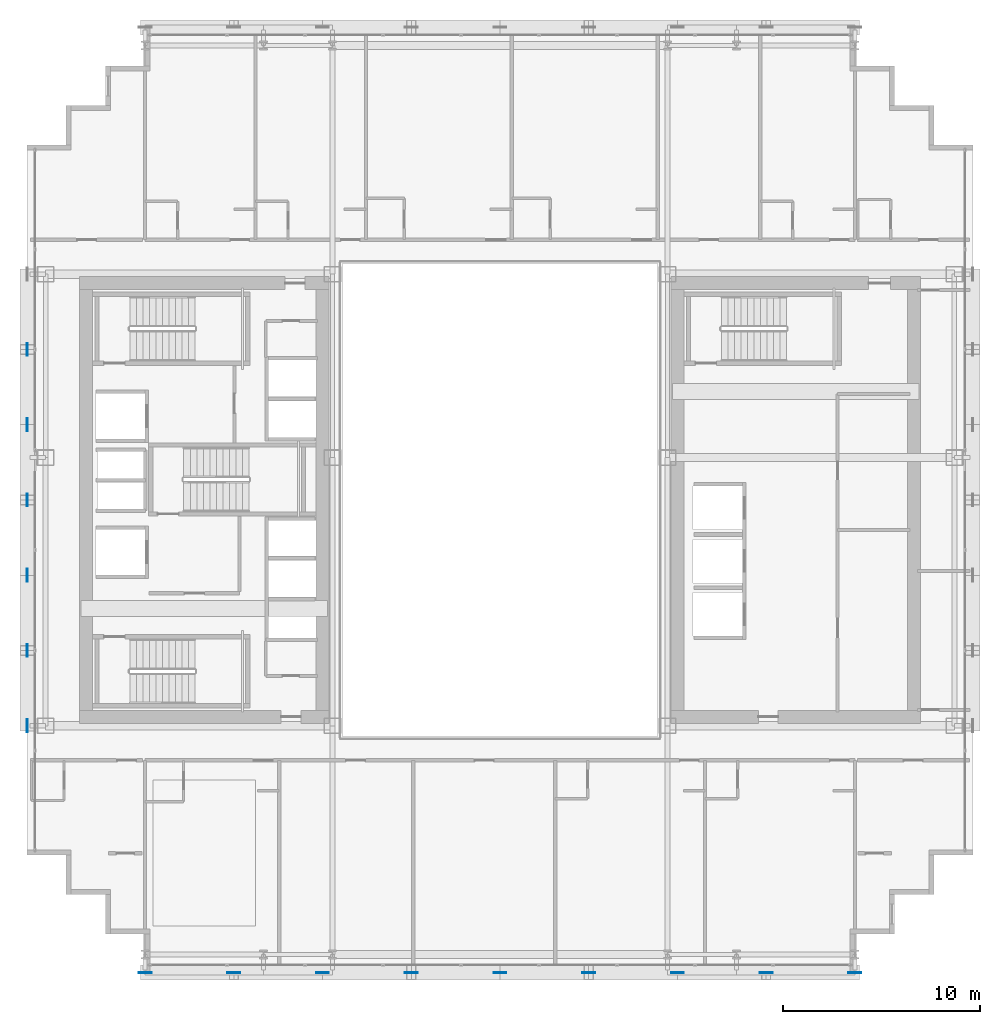
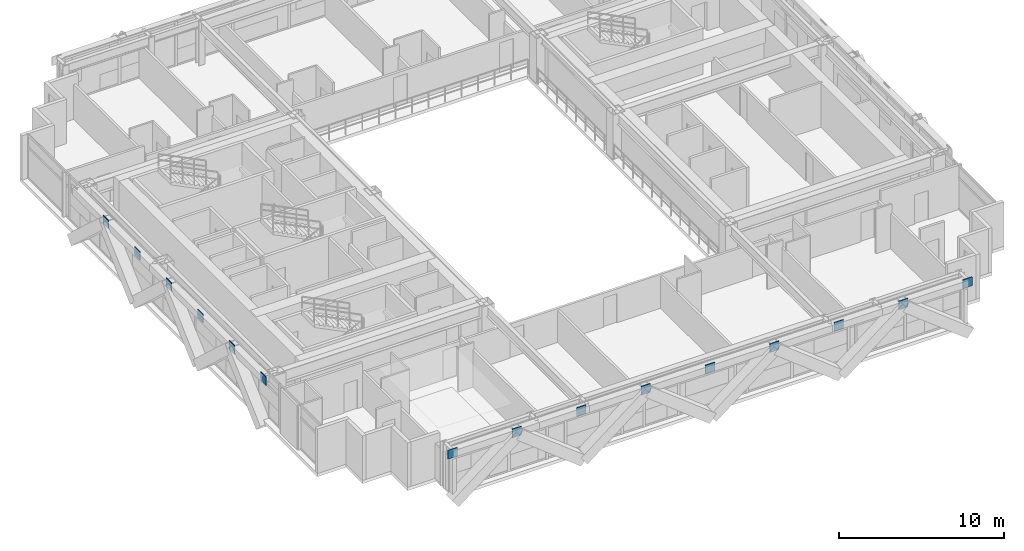
# One storey, part 25 of 36: 15 plates.
"""IFC4 building model written with IfcOpenShell, lengths in metres."""

import ifcopenshell
import ifcopenshell.guid

model = None  # the IFC model being written
_history = None  # IfcOwnerHistory: only IFC2X3 demands one
_inside = {}  # id of a spatial element -> (the spatial element, [elements in it])
_under = {}  # id of a project, library or spatial element -> (it, [spatial elements below it])
_declared = {}  # id of a project -> (the project, [libraries it declares])
_typed = {}  # id of a type object -> (the type object, [elements of that type])
_made_of = {}  # id of a material, layer set ... -> (it, [elements and type objects made of it])


def new_model(schema):
    """Start an empty IFC model of exactly this schema.

    Asked for "IFC4X3", IfcOpenShell would pick the latest addendum, in which some entities
    have other attributes; the version numbers below select the first issue.
    IFC2X3 requires an IfcOwnerHistory on every rooted entity: one is made here for all.
    """
    global model, _history
    if schema == "IFC4X3":
        model = ifcopenshell.file(schema_version=(4, 3, 0, 0))
    else:
        model = ifcopenshell.file(schema=schema)
    _inside.clear()
    _under.clear()
    _declared.clear()
    _typed.clear()
    _made_of.clear()
    _history = None
    if model.schema == "IFC2X3":
        org = make("IfcOrganization", Name="unknown")
        user = make(
            "IfcPersonAndOrganization",
            ThePerson=make("IfcPerson", FamilyName="unknown"),
            TheOrganization=org,
        )
        app = make(
            "IfcApplication",
            ApplicationDeveloper=org,
            Version="unknown",
            ApplicationFullName="unknown",
            ApplicationIdentifier="unknown",
        )
        _history = make(
            "IfcOwnerHistory",
            OwningUser=user,
            OwningApplication=app,
            ChangeAction="ADDED",
            CreationDate=0,
        )
    return model


def make(cls, **values):
    """One entity of the class cls with the attributes given. An attribute that is None is left unset."""
    return model.create_entity(
        cls, **{name: value for name, value in values.items() if value is not None}
    )


def rooted(cls, **values):
    """An entity with a GlobalId (a new one), such as an element, a storey or a relation."""
    return make(cls, GlobalId=ifcopenshell.guid.new(), OwnerHistory=_history, **values)


def si_unit(unit_type, name, prefix=None):
    """IfcSIUnit, for example si_unit("LENGTHUNIT", "METRE", prefix="MILLI")."""
    return make("IfcSIUnit", UnitType=unit_type, Prefix=prefix, Name=name)


def assignment(units):
    """IfcUnitAssignment: the units of a project."""
    return None if units is None else make("IfcUnitAssignment", Units=units)


def point(xyz):
    """IfcCartesianPoint."""
    return None if xyz is None else make("IfcCartesianPoint", Coordinates=xyz)


def direction(xyz):
    """IfcDirection."""
    return None if xyz is None else make("IfcDirection", DirectionRatios=xyz)


def frame(location, z_axis=None, x_axis=None):
    """IfcAxis2Placement3D, a coordinate frame: its origin and axes. An axis left out is left unset."""
    return make(
        "IfcAxis2Placement3D",
        Location=point(location),
        Axis=direction(z_axis),
        RefDirection=direction(x_axis),
    )


def frame_2d(location, x_axis=None):
    """IfcAxis2Placement2D, a coordinate frame in the plane: its origin and x axis."""
    return make(
        "IfcAxis2Placement2D", Location=point(location), RefDirection=direction(x_axis)
    )


def origin():
    """The frame at (0, 0, 0) with its axes left unset."""
    return frame((0.0, 0.0, 0.0))


def origin_2d():
    """The frame at (0, 0) in the plane with its x axis left unset."""
    return frame_2d((0.0, 0.0))


def place(relative_to, where):
    """IfcLocalPlacement: puts the frame where relative to a parent placement (None: the world)."""
    return make(
        "IfcLocalPlacement", PlacementRelTo=relative_to, RelativePlacement=where
    )


def context(
    kind, dimensions, precision=None, world=None, true_north=None, identifier=None
):
    """IfcGeometricRepresentationContext, for example the 3D "Model" context."""
    return make(
        "IfcGeometricRepresentationContext",
        ContextIdentifier=identifier,
        ContextType=kind,
        CoordinateSpaceDimension=dimensions,
        Precision=precision,
        WorldCoordinateSystem=world,
        TrueNorth=true_north,
    )


def subcontext(parent, identifier, kind, view, scale=None):
    """IfcGeometricRepresentationSubContext, for example "Body" below "Model"."""
    return make(
        "IfcGeometricRepresentationSubContext",
        ContextIdentifier=identifier,
        ContextType=kind,
        ParentContext=parent,
        TargetScale=scale,
        TargetView=view,
    )


def project(units=None, contexts=None):
    """IfcProject with its units and contexts."""
    return rooted(
        "IfcProject",
        Name="project",
        RepresentationContexts=contexts,
        UnitsInContext=assignment(units),
    )


def spatial(cls, under=None, at=None, **own):
    """A site, building, storey or space (cls), placed at a placement, below another one or the project."""
    s = rooted(cls, ObjectPlacement=at, **own)
    if under is not None:
        _under.setdefault(under.id(), (under, []))[1].append(s)
    return s


def profile(cls, at=None, kind="AREA", **sizes):
    """A parametric profile (cls). Its sizes go by their IFC names, for example OverallWidth=200.0."""
    return make(cls, ProfileType=kind, Position=at, **sizes)


def rectangle(**sizes):
    """IfcRectangleProfileDef."""
    return profile("IfcRectangleProfileDef", **sizes)


def extrude(swept, where, along, depth):
    """IfcExtrudedAreaSolid: the profile swept, set in the frame where, extruded along a direction by depth."""
    return make(
        "IfcExtrudedAreaSolid",
        SweptArea=swept,
        Position=where,
        ExtrudedDirection=direction(along),
        Depth=depth,
    )


def shape(context_of_items, identifier, shape_type, items):
    """IfcShapeRepresentation: the items that make up one representation, for example the "Body"."""
    return make(
        "IfcShapeRepresentation",
        ContextOfItems=context_of_items,
        RepresentationIdentifier=identifier,
        RepresentationType=shape_type,
        Items=items,
    )


def source(mapping_origin, context_of_items, identifier, shape_type, items):
    """IfcRepresentationMap: a shape defined once, which mapped items show again and again."""
    return make(
        "IfcRepresentationMap",
        MappingOrigin=mapping_origin,
        MappedRepresentation=shape(context_of_items, identifier, shape_type, items),
    )


def transform(
    local_origin,
    x_axis=None,
    y_axis=None,
    z_axis=None,
    scale=None,
    scale2=None,
    scale3=None,
    uniform=True,
):
    """IfcCartesianTransformationOperator3D, or its non-uniform kind. x_axis, y_axis, z_axis: its Axis1, 2, 3."""
    if uniform:
        return make(
            "IfcCartesianTransformationOperator3D",
            Axis1=direction(x_axis),
            Axis2=direction(y_axis),
            LocalOrigin=point(local_origin),
            Scale=scale,
            Axis3=direction(z_axis),
        )
    return make(
        "IfcCartesianTransformationOperator3DnonUniform",
        Axis1=direction(x_axis),
        Axis2=direction(y_axis),
        LocalOrigin=point(local_origin),
        Scale=scale,
        Axis3=direction(z_axis),
        Scale2=scale2,
        Scale3=scale3,
    )


def mapped(mapping_source, mapping_target):
    """IfcMappedItem: shows the shape of a source again, moved by a transform."""
    return make(
        "IfcMappedItem", MappingSource=mapping_source, MappingTarget=mapping_target
    )


def material(Name=None, Category=None):
    """IfcMaterial."""
    return make("IfcMaterial", Name=Name, Category=Category)


def layer(
    of_material, thickness, ventilated=None, Name=None, Category=None, Priority=None
):
    """IfcMaterialLayer: one layer of a wall or slab, of a material (None: an air gap)."""
    return make(
        "IfcMaterialLayer",
        Material=of_material,
        LayerThickness=thickness,
        IsVentilated=ventilated,
        Name=Name,
        Category=Category,
        Priority=Priority,
    )


def layer_set(layers, Name=None):
    """IfcMaterialLayerSet."""
    return make("IfcMaterialLayerSet", MaterialLayers=layers, LayerSetName=Name)


def made_of(thing, what):
    """Note that an element or type object is made of a material, layer set ...; save() writes the relation."""
    if what is not None:
        _made_of.setdefault(what.id(), (what, []))[1].append(thing)
    return thing


def type_object(cls, material=None, **own):
    """A type object (cls), such as IfcWallType, which elements share."""
    return made_of(rooted(cls, **own), material)


def element(
    cls,
    number,
    at=None,
    inside=None,
    cuts=None,
    type_object=None,
    material=None,
    context=None,
    identifier="Body",
    shape_type=None,
    held_by="IfcProductDefinitionShape",
    body=None,
    shapes=None,
    **own,
):
    """One element of the class cls, such as IfcWall. Its Tag is "e" and its number.

    at: its placement. inside: the storey or other place that contains it. cuts: it is an
    opening in that element (IfcRelVoidsElement). A single representation is given by context,
    identifier, shape_type and body (its items); several are given by shapes. held_by: the class
    of the entity that holds the representations. save() writes the other relations.
    """
    e = rooted(cls, Tag="e%d" % number, ObjectPlacement=at, **own)
    if body is not None:
        shapes = [shape(context, identifier, shape_type, body)]
    if shapes is not None:
        e.Representation = make(held_by, Representations=shapes)
    if inside is not None:
        _inside.setdefault(inside.id(), (inside, []))[1].append(e)
    if cuts is not None:
        rooted(
            "IfcRelVoidsElement", RelatingBuildingElement=cuts, RelatedOpeningElement=e
        )
    if type_object is not None:
        _typed.setdefault(type_object.id(), (type_object, []))[1].append(e)
    return made_of(e, material)


def aggregate(whole, parts):
    """IfcRelAggregates: a whole, such as a stair, and the parts it consists of."""
    return rooted("IfcRelAggregates", RelatingObject=whole, RelatedObjects=parts)


def save(model, path):
    """Write the relations noted so far, then the file.

    IfcRelAggregates (storeys below a building ...), IfcRelContainedInSpatialStructure (elements
    in a storey), IfcRelDefinesByType, IfcRelAssociatesMaterial and IfcRelDeclares: one each for
    every whole, place, type object, material and project.
    """
    for whole, parts in _under.values():
        aggregate(whole, parts)
    for where, things in _inside.values():
        rooted(
            "IfcRelContainedInSpatialStructure",
            RelatedElements=things,
            RelatingStructure=where,
        )
    for kind, things in _typed.values():
        rooted("IfcRelDefinesByType", RelatedObjects=things, RelatingType=kind)
    for what, things in _made_of.values():
        rooted("IfcRelAssociatesMaterial", RelatedObjects=things, RelatingMaterial=what)
    for by, libraries in _declared.values():
        rooted("IfcRelDeclares", RelatingContext=by, RelatedDefinitions=libraries)
    model.write(path)


model = new_model("IFC4")

# Units and contexts
model_context = context("Model", 3, precision=1e-05, world=origin(), true_north=direction((0.0, 1.0)))
body_context = subcontext(model_context, "Body", "Model", "MODEL_VIEW")
ifc_project = project(units=[si_unit("LENGTHUNIT", "METRE"), si_unit("AREAUNIT", "SQUARE_METRE"), si_unit("VOLUMEUNIT", "CUBIC_METRE"), si_unit("PLANEANGLEUNIT", "RADIAN"), si_unit("MASSUNIT", "GRAM", prefix="KILO")], contexts=[model_context])

# Site, building, storey
site_placement = place(None, origin())
site = spatial("IfcSite", under=ifc_project, at=site_placement, CompositionType="ELEMENT")
building_placement = place(site_placement, origin())
building = spatial("IfcBuilding", under=site, at=building_placement, Name="Ocotamira Hotel", CompositionType="ELEMENT")
storey_placement = place(building_placement, frame((0.0, 0.0, 147.60009765625)))
storey = spatial("IfcBuildingStorey", under=building, at=storey_placement, Name="L37", CompositionType="ELEMENT", Elevation=147.60009765625)

# Plates
ifc_material = material(Name="Pale-metal coated steel ASTM A572 Grade 50", Category="steel")
ifc_layer = layer(ifc_material, 0.0400390625)
ifc_layer_set = layer_set([ifc_layer], Name="Pale-metal coated steel ASTM A572 Grade 50")
plate_type = type_object("IfcPlateType", Name="PLT-GUSSET-40", PredefinedType="SHEET", material=ifc_layer_set)
shared_shape_1 = source(origin(), body_context, "Body", "SweptSolid", [
    extrude(rectangle(XDim=0.64990234375, YDim=0.0400390625, at=origin_2d()), origin(), (0.0, 0.0, 1.0), 0.64990234375),
])
for number, where, z_axis, x_axis, name in (
    (1, (18.5, 2.030029296875, 2.704833984375), (0.0, 0.0, 1.0), (1.0, 0.0, 0.0), "L37 Exoskeleton Diagrid S0.1 End Gusset B"),
    (2, (27.5, 2.030029296875, 2.704833984375), (0.0, 0.0, 1.0), (1.0, 0.0, 0.0), "L37 Exoskeleton Diagrid S1.1 End Gusset B"),
    (3, (36.5, 2.030029296875, 2.704833984375), (0.0, 0.0, 1.0), (1.0, 0.0, 0.0), "L37 Exoskeleton Diagrid S2.1 End Gusset B"),
    (4, (45.5, 2.030029296875, 2.704833984375), (0.0, 0.0, 1.0), (1.0, 0.0, 0.0), "L37 Exoskeleton Diagrid S3.1 End Gusset B"),
    (5, (14.0, 2.030029296875, 2.704833984375), (0.0, 0.0, 1.0), (1.0, 0.0, 0.0), "L37 Exoskeleton Diagrid S0.1 End Gusset A"),
    (6, (23.0, 2.030029296875, 2.704833984375), (0.0, 0.0, 1.0), (-1.0, 0.0, 0.0), "L37 Exoskeleton Diagrid S0.2 End Gusset A"),
    (7, (32.0, 2.030029296875, 2.704833984375), (0.0, 0.0, 1.0), (-1.0, 0.0, 0.0), "L37 Exoskeleton Diagrid S1.2 End Gusset A"),
    (8, (41.0, 2.030029296875, 2.704833984375), (0.0, 0.0, 1.0), (-1.0, 0.0, 0.0), "L37 Exoskeleton Diagrid S2.2 End Gusset A"),
    (9, (50.0, 2.030029296875, 2.704833984375), (0.0, 0.0, 1.0), (-1.0, 0.0, 0.0), "L37 Exoskeleton Diagrid S3.2 End Gusset A"),
):
    element("IfcPlate", number, at=place(storey_placement, frame(where, z_axis=z_axis, x_axis=x_axis)), inside=storey, type_object=plate_type, Name=name, PredefinedType="SHEET", context=body_context, shape_type="MappedRepresentation", body=[
        mapped(shared_shape_1, transform((0.0, 0.0, 0.0), scale=1.0)),
    ])
shared_shape_2 = source(origin(), body_context, "Body", "SweptSolid", [
    extrude(rectangle(XDim=0.0400390625, YDim=0.64990234375, at=origin_2d()), origin(), (0.0, 0.0, 1.0), 0.64990234375),
])
for number, where, z_axis, x_axis, name in (
    (10, (8.030029296875, 18.36669921875, 2.704833984375), (0.0, 0.0, 1.0), (1.0, 0.0, 0.0), "L37 Exoskeleton Diagrid W0.1 End Gusset B"),
    (11, (8.030029296875, 26.0, 2.704833984375), (0.0, 0.0, 1.0), (1.0, 0.0, 0.0), "L37 Exoskeleton Diagrid W1.1 End Gusset B"),
    (12, (8.030029296875, 33.63330078125, 2.704833984375), (0.0, 0.0, 1.0), (1.0, 0.0, 0.0), "L37 Exoskeleton Diagrid W2.1 End Gusset B"),
    (13, (8.030029296875, 14.550048828125, 2.704833984375), (0.0, 0.0, 1.0), (1.0, 0.0, 0.0), "L37 Exoskeleton Diagrid W0.1 End Gusset A"),
    (14, (8.030029296875, 22.183349609375, 2.704833984375), (0.0, 0.0, 1.0), (1.0, 0.0, 0.0), "L37 Exoskeleton Diagrid W0.2 End Gusset A"),
    (15, (8.030029296875, 29.816650390625, 2.704833984375), (0.0, 0.0, 1.0), (1.0, 0.0, 0.0), "L37 Exoskeleton Diagrid W1.2 End Gusset A"),
):
    element("IfcPlate", number, at=place(storey_placement, frame(where, z_axis=z_axis, x_axis=x_axis)), inside=storey, type_object=plate_type, Name=name, PredefinedType="SHEET", context=body_context, shape_type="MappedRepresentation", body=[
        mapped(shared_shape_2, transform((0.0, 0.0, 0.0), scale=1.0)),
    ])

save(model, "model.ifc")
